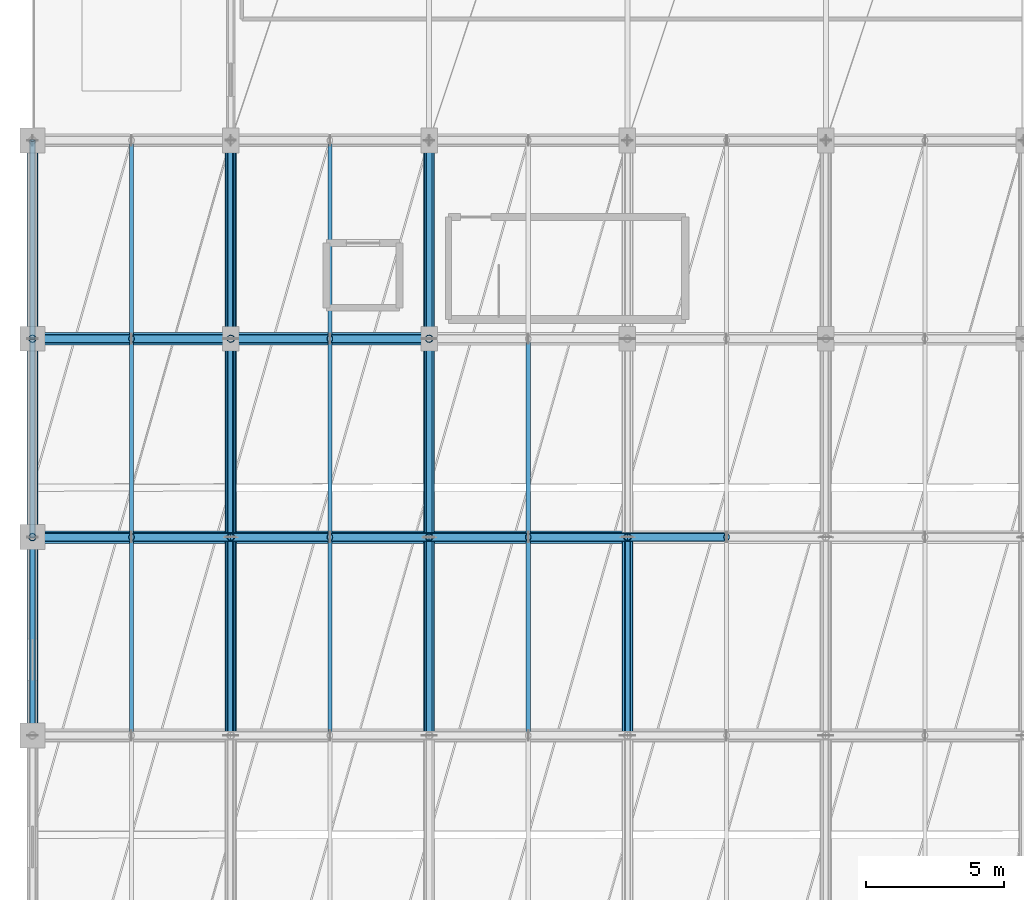
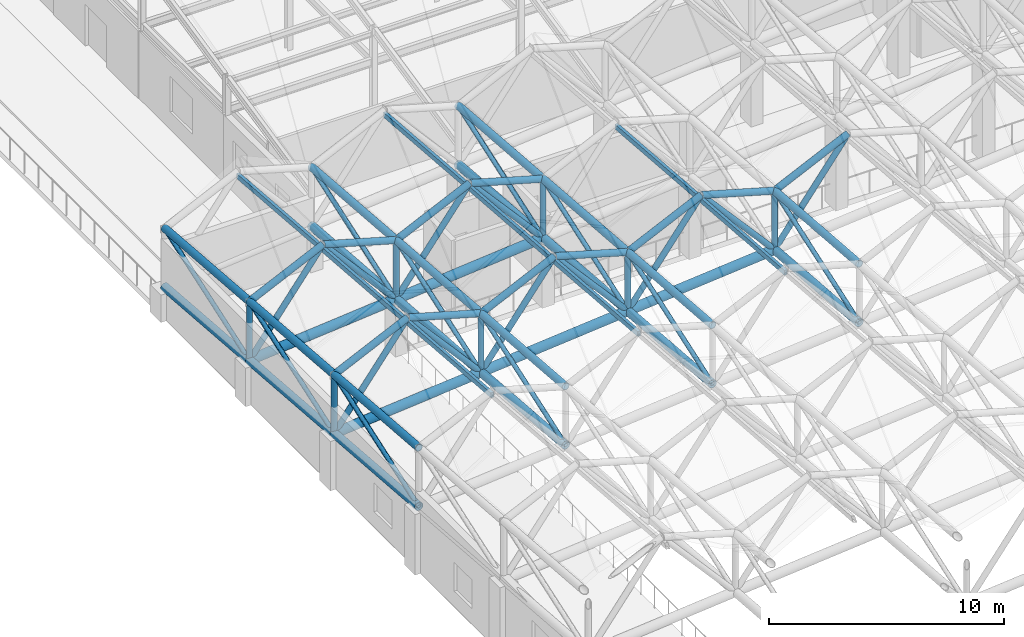
# One storey, part 23 of 113: 72 members.
"""IFC4 building model written with IfcOpenShell, lengths in metres."""

from ifc_helpers import new_model, si_unit, direction, frame, origin, origin_2d, place, context, subcontext, project, spatial, hollow_rectangle, hollow_circle, extrude, material, material_profile, profile_set, type_object, element, save


model = new_model("IFC4")

# Units and contexts
model_context = context("Model", 3, precision=1e-05, world=origin(), true_north=direction((0.0, 1.0)))
body_context = subcontext(model_context, "Body", "Model", "MODEL_VIEW")
ifc_project = project(units=[si_unit("LENGTHUNIT", "METRE"), si_unit("AREAUNIT", "SQUARE_METRE"), si_unit("VOLUMEUNIT", "CUBIC_METRE"), si_unit("PLANEANGLEUNIT", "RADIAN"), si_unit("MASSUNIT", "GRAM", prefix="KILO")], contexts=[model_context])

# Site, building, storey
site_placement = place(None, origin())
site = spatial("IfcSite", under=ifc_project, at=site_placement, CompositionType="ELEMENT")
building_placement = place(site_placement, origin())
building = spatial("IfcBuilding", under=site, at=building_placement, Name="Carrowvane Square Congress Hotel", CompositionType="ELEMENT")
storey_placement = place(building_placement, frame((0.0, 0.0, 15.0)))
storey = spatial("IfcBuildingStorey", under=building, at=storey_placement, Name="L03", CompositionType="ELEMENT", Elevation=15.0)

# Members
ifc_material_1 = material(Name="Steel S355", Category="steel")
ifc_material_profile_1 = material_profile(ifc_material_1, hollow_rectangle(XDim=0.14990234375, YDim=0.25, WallThickness=0.012451171875, at=origin_2d()), Name="RHS 250x150x12.5")
ifc_profile_set_1 = profile_set([ifc_material_profile_1], Name="Steel S355")
member_type_1 = type_object("IfcMemberType", Name="MEM-PR-RHS250", PredefinedType="PURLIN", material=ifc_profile_set_1)
member_1_placement = place(storey_placement, frame((15.199951171875, 34.199951171875, 7.65283203125), z_axis=(0.0, 0.996866873479, -0.079097639413), x_axis=(-1.0, 0.0, 0.0)))
element("IfcMember", 1, at=member_1_placement, inside=storey, type_object=member_type_1, Name="Space-frame ridge purlin 453", PredefinedType="PURLIN", context=body_context, shape_type="SweptSolid", body=[
    extrude(hollow_rectangle(XDim=0.14990234375, YDim=0.25, WallThickness=0.012451171875, at=origin_2d()), origin(), (0.0, 0.0, 1.0), 7.22265625),
])
member_2_placement = place(storey_placement, frame((15.199951171875, 41.39990234375, 7.08154296875), z_axis=(0.0, 0.996864419257, -0.079128563864), x_axis=(-1.0, 0.0, 0.0)))
element("IfcMember", 2, at=member_2_placement, inside=storey, type_object=member_type_1, Name="Space-frame ridge purlin 454", PredefinedType="PURLIN", context=body_context, shape_type="SweptSolid", body=[
    extrude(hollow_rectangle(XDim=0.14990234375, YDim=0.25, WallThickness=0.012451171875, at=origin_2d()), origin(), (0.0, 0.0, 1.0), 7.222900390625),
])
for number, where, z_axis, x_axis, name in (
    (3, (15.199951171875, 48.60009765625, 6.510009765625), (0.0, 0.996864207606, -0.079131230206), (-1.0, 0.0, 0.0), "Space-frame ridge purlin 455"),
    (4, (22.39990234375, 34.199951171875, 8.31005859375), (0.0, 0.996864207606, -0.079131230206), (-1.0, 0.0, 0.0), "Space-frame ridge purlin 460"),
):
    element("IfcMember", number, at=place(storey_placement, frame(where, z_axis=z_axis, x_axis=x_axis)), inside=storey, type_object=member_type_1, Name=name, PredefinedType="PURLIN", context=body_context, shape_type="SweptSolid", body=[
        extrude(hollow_rectangle(XDim=0.14990234375, YDim=0.25, WallThickness=0.012451171875, at=origin_2d()), origin(), (0.0, 0.0, 1.0), 7.22265625),
    ])
member_3_placement = place(storey_placement, frame((22.39990234375, 41.39990234375, 7.738525390625), z_axis=(0.0, 0.996867084951, -0.079094974189), x_axis=(-1.0, 0.0, 0.0)))
element("IfcMember", 5, at=member_3_placement, inside=storey, type_object=member_type_1, Name="Space-frame ridge purlin 461", PredefinedType="PURLIN", context=body_context, shape_type="SweptSolid", body=[
    extrude(hollow_rectangle(XDim=0.14990234375, YDim=0.25, WallThickness=0.012451171875, at=origin_2d()), origin(), (0.0, 0.0, 1.0), 7.222900390625),
])
for number, where, z_axis, x_axis, name in (
    (6, (22.39990234375, 48.60009765625, 7.167236328125), (0.0, 0.996864207606, -0.079131230206), (-1.0, 0.0, 0.0), "Space-frame ridge purlin 462"),
    (7, (29.60009765625, 34.199951171875, 8.967041015625), (0.0, 0.996866873479, -0.079097639413), (-1.0, 0.0, 0.0), "Space-frame ridge purlin 467"),
):
    element("IfcMember", number, at=place(storey_placement, frame(where, z_axis=z_axis, x_axis=x_axis)), inside=storey, type_object=member_type_1, Name=name, PredefinedType="PURLIN", context=body_context, shape_type="SweptSolid", body=[
        extrude(hollow_rectangle(XDim=0.14990234375, YDim=0.25, WallThickness=0.012451171875, at=origin_2d()), origin(), (0.0, 0.0, 1.0), 7.22265625),
    ])
member_4_placement = place(storey_placement, frame((29.60009765625, 41.39990234375, 8.395751953125), z_axis=(0.0, 0.996864419257, -0.079128563864), x_axis=(-1.0, 0.0, 0.0)))
element("IfcMember", 8, at=member_4_placement, inside=storey, type_object=member_type_1, Name="Space-frame ridge purlin 468", PredefinedType="PURLIN", context=body_context, shape_type="SweptSolid", body=[
    extrude(hollow_rectangle(XDim=0.14990234375, YDim=0.25, WallThickness=0.012451171875, at=origin_2d()), origin(), (0.0, 0.0, 1.0), 7.222900390625),
])
ifc_material_2 = material(Name="Steel S355", Category="steel")
ifc_material_profile_2 = material_profile(ifc_material_2, hollow_circle(Radius=0.136474609375, WallThickness=0.01611328125, at=origin_2d()), Name="CHS 273.0x16")
ifc_profile_set_2 = profile_set([ifc_material_profile_2], Name="Steel S355")
member_type_2 = type_object("IfcMemberType", Name="MEM-ST-CHS273", PredefinedType="STRUT", material=ifc_profile_set_2)
for number, where, z_axis, x_axis, name in (
    (9, (11.60009765625, 41.39990234375, 2.562744140625), (0.0, 0.0, 1.0), (1.0, 0.0, 0.0), "Space-frame vertical post 503"),
    (10, (11.60009765625, 48.60009765625, 1.991455078125), (0.0, 0.0, 1.0), (1.0, 0.0, 0.0), "Space-frame vertical post 504"),
    (11, (18.800048828125, 41.39990234375, 3.219970703125), (0.0, 0.0, 1.0), (1.0, 0.0, 0.0), "Space-frame vertical post 511"),
):
    element("IfcMember", number, at=place(storey_placement, frame(where, z_axis=z_axis, x_axis=x_axis)), inside=storey, type_object=member_type_2, Name=name, PredefinedType="STRUT", context=body_context, shape_type="SweptSolid", body=[
        extrude(hollow_circle(Radius=0.136474609375, WallThickness=0.01611328125, at=origin_2d()), origin(), (0.0, 0.0, 1.0), 3.050048828125),
    ])
member_5_placement = place(storey_placement, frame((18.800048828125, 48.60009765625, 2.648681640625), z_axis=(0.0, 0.0, 1.0), x_axis=(1.0, 0.0, 0.0)))
element("IfcMember", 12, at=member_5_placement, inside=storey, type_object=member_type_2, Name="Space-frame vertical post 512", PredefinedType="STRUT", context=body_context, shape_type="SweptSolid", body=[
    extrude(hollow_circle(Radius=0.136474609375, WallThickness=0.01611328125, at=origin_2d()), origin(), (0.0, 0.0, 1.0), 3.0498046875),
])
for number, where, z_axis, x_axis, name in (
    (13, (26.0, 41.39990234375, 3.877197265625), (0.0, 0.0, 1.0), (1.0, 0.0, 0.0), "Space-frame vertical post 519"),
    (14, (26.0, 48.60009765625, 3.3056640625), (0.0, 0.0, 1.0), (1.0, 0.0, 0.0), "Space-frame vertical post 520"),
    (15, (33.199951171875, 41.39990234375, 4.5341796875), (0.0, 0.0, 1.0), (1.0, 0.0, 0.0), "Space-frame vertical post 527"),
):
    element("IfcMember", number, at=place(storey_placement, frame(where, z_axis=z_axis, x_axis=x_axis)), inside=storey, type_object=member_type_2, Name=name, PredefinedType="STRUT", context=body_context, shape_type="SweptSolid", body=[
        extrude(hollow_circle(Radius=0.136474609375, WallThickness=0.01611328125, at=origin_2d()), origin(), (0.0, 0.0, 1.0), 3.050048828125),
    ])
ifc_material_3 = material(Name="Steel S355", Category="steel")
ifc_material_profile_3 = material_profile(ifc_material_3, hollow_circle(Radius=0.161865234375, WallThickness=0.01611328125, at=origin_2d()), Name="CHS 323.9x16")
ifc_profile_set_3 = profile_set([ifc_material_profile_3], Name="Steel S355")
member_type_3 = type_object("IfcMemberType", Name="MEM-TC-CHS324", PredefinedType="CHORD", material=ifc_profile_set_3)
member_6_placement = place(storey_placement, frame((11.60009765625, 41.39990234375, 5.61279296875), z_axis=(0.905334279236, 0.0, 0.424699709018), x_axis=(0.0, 1.0, 0.0)))
element("IfcMember", 16, at=member_6_placement, inside=storey, type_object=member_type_3, Name="Space-frame folded top chord 345", PredefinedType="CHORD", context=body_context, shape_type="SweptSolid", body=[
    extrude(hollow_circle(Radius=0.161865234375, WallThickness=0.01611328125, at=origin_2d()), origin(), (0.0, 0.0, 1.0), 3.976318359375),
])
member_7_placement = place(storey_placement, frame((15.199951171875, 41.39990234375, 7.301513671875), z_axis=(0.961319496164, 0.0, -0.275435702651), x_axis=(0.0, 1.0, 0.0)))
element("IfcMember", 17, at=member_7_placement, inside=storey, type_object=member_type_3, Name="Space-frame folded top chord 346", PredefinedType="CHORD", context=body_context, shape_type="SweptSolid", body=[
    extrude(hollow_circle(Radius=0.161865234375, WallThickness=0.01611328125, at=origin_2d()), origin(), (0.0, 0.0, 1.0), 3.744873046875),
])
member_8_placement = place(storey_placement, frame((18.800048828125, 41.39990234375, 6.27001953125), z_axis=(0.905357886231, 0.0, 0.424649382243), x_axis=(0.0, 1.0, 0.0)))
element("IfcMember", 18, at=member_8_placement, inside=storey, type_object=member_type_3, Name="Space-frame folded top chord 350", PredefinedType="CHORD", context=body_context, shape_type="SweptSolid", body=[
    extrude(hollow_circle(Radius=0.161865234375, WallThickness=0.01611328125, at=origin_2d()), origin(), (0.0, 0.0, 1.0), 3.97607421875),
])
member_9_placement = place(storey_placement, frame((22.39990234375, 41.39990234375, 7.95849609375), z_axis=(0.961336756204, 0.0, -0.275375454917), x_axis=(0.0, 1.0, 0.0)))
element("IfcMember", 19, at=member_9_placement, inside=storey, type_object=member_type_3, Name="Space-frame folded top chord 351", PredefinedType="CHORD", context=body_context, shape_type="SweptSolid", body=[
    extrude(hollow_circle(Radius=0.161865234375, WallThickness=0.01611328125, at=origin_2d()), origin(), (0.0, 0.0, 1.0), 3.744873046875),
])
member_10_placement = place(storey_placement, frame((26.0, 41.39990234375, 6.92724609375), z_axis=(0.905368957574, 0.0, 0.424625777199), x_axis=(0.0, 1.0, 0.0)))
element("IfcMember", 20, at=member_10_placement, inside=storey, type_object=member_type_3, Name="Space-frame folded top chord 355", PredefinedType="CHORD", context=body_context, shape_type="SweptSolid", body=[
    extrude(hollow_circle(Radius=0.161865234375, WallThickness=0.01611328125, at=origin_2d()), origin(), (0.0, 0.0, 1.0), 3.976318359375),
])
member_11_placement = place(storey_placement, frame((29.60009765625, 41.39990234375, 8.61572265625), z_axis=(0.961314549928, 0.0, -0.275452965307), x_axis=(0.0, 1.0, 0.0)))
element("IfcMember", 21, at=member_11_placement, inside=storey, type_object=member_type_3, Name="Space-frame folded top chord 356", PredefinedType="CHORD", context=body_context, shape_type="SweptSolid", body=[
    extrude(hollow_circle(Radius=0.161865234375, WallThickness=0.01611328125, at=origin_2d()), origin(), (0.0, 0.0, 1.0), 3.74462890625),
])
member_12_placement = place(storey_placement, frame((33.199951171875, 41.39990234375, 7.584228515625), z_axis=(0.905345352914, 0.0, 0.424676102408), x_axis=(0.0, 1.0, 0.0)))
element("IfcMember", 22, at=member_12_placement, inside=storey, type_object=member_type_3, Name="Space-frame folded top chord 360", PredefinedType="CHORD", context=body_context, shape_type="SweptSolid", body=[
    extrude(hollow_circle(Radius=0.161865234375, WallThickness=0.01611328125, at=origin_2d()), origin(), (0.0, 0.0, 1.0), 3.9765625),
])
member_13_placement = place(storey_placement, frame((11.60009765625, 48.60009765625, 5.04150390625), z_axis=(0.905357886231, 0.0, 0.424649382243), x_axis=(0.0, 1.0, 0.0)))
element("IfcMember", 23, at=member_13_placement, inside=storey, type_object=member_type_3, Name="Space-frame folded top chord 380", PredefinedType="CHORD", context=body_context, shape_type="SweptSolid", body=[
    extrude(hollow_circle(Radius=0.161865234375, WallThickness=0.01611328125, at=origin_2d()), origin(), (0.0, 0.0, 1.0), 3.97607421875),
])
member_14_placement = place(storey_placement, frame((15.199951171875, 48.60009765625, 6.72998046875), z_axis=(0.961319496164, 0.0, -0.275435702651), x_axis=(0.0, 1.0, 0.0)))
element("IfcMember", 24, at=member_14_placement, inside=storey, type_object=member_type_3, Name="Space-frame folded top chord 381", PredefinedType="CHORD", context=body_context, shape_type="SweptSolid", body=[
    extrude(hollow_circle(Radius=0.161865234375, WallThickness=0.01611328125, at=origin_2d()), origin(), (0.0, 0.0, 1.0), 3.744873046875),
])
member_15_placement = place(storey_placement, frame((18.800048828125, 48.60009765625, 5.698486328125), z_axis=(0.905334279236, 0.0, 0.424699709018), x_axis=(0.0, 1.0, 0.0)))
element("IfcMember", 25, at=member_15_placement, inside=storey, type_object=member_type_3, Name="Space-frame folded top chord 385", PredefinedType="CHORD", context=body_context, shape_type="SweptSolid", body=[
    extrude(hollow_circle(Radius=0.161865234375, WallThickness=0.01611328125, at=origin_2d()), origin(), (0.0, 0.0, 1.0), 3.976318359375),
])
member_16_placement = place(storey_placement, frame((22.39990234375, 48.60009765625, 7.38720703125), z_axis=(0.961319496164, 0.0, -0.275435702651), x_axis=(0.0, 1.0, 0.0)))
element("IfcMember", 26, at=member_16_placement, inside=storey, type_object=member_type_3, Name="Space-frame folded top chord 386", PredefinedType="CHORD", context=body_context, shape_type="SweptSolid", body=[
    extrude(hollow_circle(Radius=0.161865234375, WallThickness=0.01611328125, at=origin_2d()), origin(), (0.0, 0.0, 1.0), 3.744873046875),
])
ifc_material_4 = material(Name="Steel S355", Category="steel")
ifc_material_profile_4 = material_profile(ifc_material_4, hollow_circle(Radius=0.177734375, WallThickness=0.02001953125, at=origin_2d()), Name="CHS 355.6x20")
ifc_profile_set_4 = profile_set([ifc_material_profile_4], Name="Steel S355")
member_type_4 = type_object("IfcMemberType", Name="MEM-TC-CHS356", PredefinedType="CHORD", material=ifc_profile_set_4)
member_17_placement = place(storey_placement, frame((11.60009765625, 34.199951171875, 6.184326171875), z_axis=(0.0, 0.996864207606, -0.079131230206), x_axis=(-1.0, 0.0, 0.0)))
element("IfcMember", 27, at=member_17_placement, inside=storey, type_object=member_type_4, Name="Space-frame valley top chord 13", PredefinedType="CHORD", context=body_context, shape_type="SweptSolid", body=[
    extrude(hollow_circle(Radius=0.177734375, WallThickness=0.02001953125, at=origin_2d()), origin(), (0.0, 0.0, 1.0), 7.22265625),
])
member_18_placement = place(storey_placement, frame((11.60009765625, 41.39990234375, 5.61279296875), z_axis=(0.0, 0.996867084951, -0.079094974189), x_axis=(-1.0, 0.0, 0.0)))
element("IfcMember", 28, at=member_18_placement, inside=storey, type_object=member_type_4, Name="Space-frame valley top chord 16", PredefinedType="CHORD", context=body_context, shape_type="SweptSolid", body=[
    extrude(hollow_circle(Radius=0.177734375, WallThickness=0.02001953125, at=origin_2d()), origin(), (0.0, 0.0, 1.0), 7.222900390625),
])
for number, where, z_axis, x_axis, name in (
    (29, (11.60009765625, 48.60009765625, 5.04150390625), (0.0, 0.996864207606, -0.079131230206), (-1.0, 0.0, 0.0), "Space-frame valley top chord 19"),
    (30, (18.800048828125, 34.199951171875, 6.84130859375), (0.0, 0.996866873479, -0.079097639413), (-1.0, 0.0, 0.0), "Space-frame valley top chord 34"),
):
    element("IfcMember", number, at=place(storey_placement, frame(where, z_axis=z_axis, x_axis=x_axis)), inside=storey, type_object=member_type_4, Name=name, PredefinedType="CHORD", context=body_context, shape_type="SweptSolid", body=[
        extrude(hollow_circle(Radius=0.177734375, WallThickness=0.02001953125, at=origin_2d()), origin(), (0.0, 0.0, 1.0), 7.22265625),
    ])
member_19_placement = place(storey_placement, frame((18.800048828125, 41.39990234375, 6.27001953125), z_axis=(0.0, 0.996864419257, -0.079128563864), x_axis=(-1.0, 0.0, 0.0)))
element("IfcMember", 31, at=member_19_placement, inside=storey, type_object=member_type_4, Name="Space-frame valley top chord 37", PredefinedType="CHORD", context=body_context, shape_type="SweptSolid", body=[
    extrude(hollow_circle(Radius=0.177734375, WallThickness=0.02001953125, at=origin_2d()), origin(), (0.0, 0.0, 1.0), 7.222900390625),
])
for number, where, z_axis, x_axis, name in (
    (32, (18.800048828125, 48.60009765625, 5.698486328125), (0.0, 0.996866873479, -0.079097639413), (-1.0, 0.0, 0.0), "Space-frame valley top chord 40"),
    (33, (26.0, 34.199951171875, 7.49853515625), (0.0, 0.996866873479, -0.079097639413), (-1.0, 0.0, 0.0), "Space-frame valley top chord 55"),
):
    element("IfcMember", number, at=place(storey_placement, frame(where, z_axis=z_axis, x_axis=x_axis)), inside=storey, type_object=member_type_4, Name=name, PredefinedType="CHORD", context=body_context, shape_type="SweptSolid", body=[
        extrude(hollow_circle(Radius=0.177734375, WallThickness=0.02001953125, at=origin_2d()), origin(), (0.0, 0.0, 1.0), 7.22265625),
    ])
member_20_placement = place(storey_placement, frame((26.0, 41.39990234375, 6.92724609375), z_axis=(0.0, 0.996864419257, -0.079128563864), x_axis=(-1.0, 0.0, 0.0)))
element("IfcMember", 34, at=member_20_placement, inside=storey, type_object=member_type_4, Name="Space-frame valley top chord 58", PredefinedType="CHORD", context=body_context, shape_type="SweptSolid", body=[
    extrude(hollow_circle(Radius=0.177734375, WallThickness=0.02001953125, at=origin_2d()), origin(), (0.0, 0.0, 1.0), 7.222900390625),
])
for number, where, z_axis, x_axis, name in (
    (35, (26.0, 48.60009765625, 6.355712890625), (0.0, 0.996864207606, -0.079131230206), (-1.0, 0.0, 0.0), "Space-frame valley top chord 61"),
    (36, (33.199951171875, 34.199951171875, 8.15576171875), (0.0, 0.996864207606, -0.079131230206), (-1.0, 0.0, 0.0), "Space-frame valley top chord 76"),
):
    element("IfcMember", number, at=place(storey_placement, frame(where, z_axis=z_axis, x_axis=x_axis)), inside=storey, type_object=member_type_4, Name=name, PredefinedType="CHORD", context=body_context, shape_type="SweptSolid", body=[
        extrude(hollow_circle(Radius=0.177734375, WallThickness=0.02001953125, at=origin_2d()), origin(), (0.0, 0.0, 1.0), 7.22265625),
    ])
ifc_material_5 = material(Name="Steel S355", Category="steel")
ifc_material_profile_5 = material_profile(ifc_material_5, hollow_circle(Radius=0.203125, WallThickness=0.02001953125, at=origin_2d()), Name="CHS 406.4x20")
ifc_profile_set_5 = profile_set([ifc_material_profile_5], Name="Steel S355")
member_type_5 = type_object("IfcMemberType", Name="MEM-TC-CHS406", PredefinedType="CHORD", material=ifc_profile_set_5)
member_21_placement = place(storey_placement, frame((11.60009765625, 34.199951171875, 3.13427734375), z_axis=(0.0, 0.996864207606, -0.079131230206), x_axis=(-1.0, 0.0, 0.0)))
element("IfcMember", 37, at=member_21_placement, inside=storey, type_object=member_type_5, Name="Space-frame bottom chord 14", PredefinedType="CHORD", context=body_context, shape_type="SweptSolid", body=[
    extrude(hollow_circle(Radius=0.203125, WallThickness=0.02001953125, at=origin_2d()), origin(), (0.0, 0.0, 1.0), 7.22265625),
])
member_22_placement = place(storey_placement, frame((11.60009765625, 41.39990234375, 2.562744140625), z_axis=(0.0, 0.996867084951, -0.079094974189), x_axis=(-1.0, 0.0, 0.0)))
element("IfcMember", 38, at=member_22_placement, inside=storey, type_object=member_type_5, Name="Space-frame bottom chord 17", PredefinedType="CHORD", context=body_context, shape_type="SweptSolid", body=[
    extrude(hollow_circle(Radius=0.203125, WallThickness=0.02001953125, at=origin_2d()), origin(), (0.0, 0.0, 1.0), 7.222900390625),
])
for number, where, z_axis, x_axis, name in (
    (39, (11.60009765625, 48.60009765625, 1.991455078125), (0.0, 0.996864207606, -0.079131230206), (-1.0, 0.0, 0.0), "Space-frame bottom chord 20"),
    (40, (18.800048828125, 34.199951171875, 3.79150390625), (0.0, 0.996864207606, -0.079131230206), (-1.0, 0.0, 0.0), "Space-frame bottom chord 35"),
):
    element("IfcMember", number, at=place(storey_placement, frame(where, z_axis=z_axis, x_axis=x_axis)), inside=storey, type_object=member_type_5, Name=name, PredefinedType="CHORD", context=body_context, shape_type="SweptSolid", body=[
        extrude(hollow_circle(Radius=0.203125, WallThickness=0.02001953125, at=origin_2d()), origin(), (0.0, 0.0, 1.0), 7.22265625),
    ])
member_23_placement = place(storey_placement, frame((18.800048828125, 41.39990234375, 3.219970703125), z_axis=(0.0, 0.996867084951, -0.079094974189), x_axis=(-1.0, 0.0, 0.0)))
element("IfcMember", 41, at=member_23_placement, inside=storey, type_object=member_type_5, Name="Space-frame bottom chord 38", PredefinedType="CHORD", context=body_context, shape_type="SweptSolid", body=[
    extrude(hollow_circle(Radius=0.203125, WallThickness=0.02001953125, at=origin_2d()), origin(), (0.0, 0.0, 1.0), 7.222900390625),
])
for number, where, z_axis, x_axis, name in (
    (42, (18.800048828125, 48.60009765625, 2.648681640625), (0.0, 0.996864207606, -0.079131230206), (-1.0, 0.0, 0.0), "Space-frame bottom chord 41"),
    (43, (26.0, 34.199951171875, 4.448486328125), (0.0, 0.996866873479, -0.079097639413), (-1.0, 0.0, 0.0), "Space-frame bottom chord 56"),
):
    element("IfcMember", number, at=place(storey_placement, frame(where, z_axis=z_axis, x_axis=x_axis)), inside=storey, type_object=member_type_5, Name=name, PredefinedType="CHORD", context=body_context, shape_type="SweptSolid", body=[
        extrude(hollow_circle(Radius=0.203125, WallThickness=0.02001953125, at=origin_2d()), origin(), (0.0, 0.0, 1.0), 7.22265625),
    ])
member_24_placement = place(storey_placement, frame((26.0, 41.39990234375, 3.877197265625), z_axis=(0.0, 0.996864419257, -0.079128563864), x_axis=(-1.0, 0.0, 0.0)))
element("IfcMember", 44, at=member_24_placement, inside=storey, type_object=member_type_5, Name="Space-frame bottom chord 59", PredefinedType="CHORD", context=body_context, shape_type="SweptSolid", body=[
    extrude(hollow_circle(Radius=0.203125, WallThickness=0.02001953125, at=origin_2d()), origin(), (0.0, 0.0, 1.0), 7.222900390625),
])
for number, where, z_axis, x_axis, name in (
    (45, (26.0, 48.60009765625, 3.3056640625), (0.0, 0.996866873479, -0.079097639413), (-1.0, 0.0, 0.0), "Space-frame bottom chord 62"),
    (46, (33.199951171875, 34.199951171875, 5.105712890625), (0.0, 0.996864207606, -0.079131230206), (-1.0, 0.0, 0.0), "Space-frame bottom chord 77"),
):
    element("IfcMember", number, at=place(storey_placement, frame(where, z_axis=z_axis, x_axis=x_axis)), inside=storey, type_object=member_type_5, Name=name, PredefinedType="CHORD", context=body_context, shape_type="SweptSolid", body=[
        extrude(hollow_circle(Radius=0.203125, WallThickness=0.02001953125, at=origin_2d()), origin(), (0.0, 0.0, 1.0), 7.22265625),
    ])
ifc_material_6 = material(Name="Steel S355", Category="steel")
ifc_material_profile_6 = material_profile(ifc_material_6, hollow_circle(Radius=0.228515625, WallThickness=0.02490234375, at=origin_2d()), Name="CHS 457.0x25")
ifc_profile_set_6 = profile_set([ifc_material_profile_6], Name="Steel S355")
member_type_6 = type_object("IfcMemberType", Name="MEM-TC-CHS457", PredefinedType="CHORD", material=ifc_profile_set_6)
for number, where, z_axis, x_axis, name in (
    (47, (11.60009765625, 41.39990234375, 2.562744140625), (0.995859646859, 0.0, 0.090904145988), (0.0, 1.0, 0.0), "Space-frame cross bottom chord 344"),
    (48, (18.800048828125, 41.39990234375, 3.219970703125), (0.995859646859, 0.0, 0.090904145988), (0.0, 1.0, 0.0), "Space-frame cross bottom chord 349"),
    (49, (26.0, 41.39990234375, 3.877197265625), (0.99586270327, 0.0, 0.090870656624), (0.0, 1.0, 0.0), "Space-frame cross bottom chord 354"),
    (50, (11.60009765625, 48.60009765625, 1.991455078125), (0.995859646859, 0.0, 0.090904145988), (0.0, 1.0, 0.0), "Space-frame cross bottom chord 379"),
    (51, (18.800048828125, 48.60009765625, 2.648681640625), (0.99586270327, 0.0, 0.090870656624), (0.0, 1.0, 0.0), "Space-frame cross bottom chord 384"),
):
    element("IfcMember", number, at=place(storey_placement, frame(where, z_axis=z_axis, x_axis=x_axis)), inside=storey, type_object=member_type_6, Name=name, PredefinedType="CHORD", context=body_context, shape_type="SweptSolid", body=[
        extrude(hollow_circle(Radius=0.228515625, WallThickness=0.02490234375, at=origin_2d()), origin(), (0.0, 0.0, 1.0), 7.22998046875),
    ])
ifc_material_7 = material(Name="Steel S355", Category="steel")
ifc_material_profile_7 = material_profile(ifc_material_7, hollow_circle(Radius=0.109619140625, WallThickness=0.012451171875, at=origin_2d()), Name="CHS 219.1x12.5")
ifc_profile_set_7 = profile_set([ifc_material_profile_7], Name="Steel S355")
member_type_7 = type_object("IfcMemberType", Name="MEM-TD-CHS219", PredefinedType="BRACE", material=ifc_profile_set_7)
member_25_placement = place(storey_placement, frame((11.60009765625, 34.199951171875, 3.13427734375), z_axis=(0.0, 0.945543894884, 0.325494612623), x_axis=(-1.0, 0.0, 0.0)))
element("IfcMember", 52, at=member_25_placement, inside=storey, type_object=member_type_7, Name="Space-frame web diagonal 15", PredefinedType="BRACE", context=body_context, shape_type="SweptSolid", body=[
    extrude(hollow_circle(Radius=0.109619140625, WallThickness=0.012451171875, at=origin_2d()), origin(), (0.0, 0.0, 1.0), 7.614501953125),
])
member_26_placement = place(storey_placement, frame((11.60009765625, 41.39990234375, 2.562744140625), z_axis=(0.0, 0.945537424098, 0.325513409293), x_axis=(-1.0, 0.0, 0.0)))
element("IfcMember", 53, at=member_26_placement, inside=storey, type_object=member_type_7, Name="Space-frame web diagonal 18", PredefinedType="BRACE", context=body_context, shape_type="SweptSolid", body=[
    extrude(hollow_circle(Radius=0.109619140625, WallThickness=0.012451171875, at=origin_2d()), origin(), (0.0, 0.0, 1.0), 7.614990234375),
])
for number, where, z_axis, x_axis, name in (
    (54, (11.60009765625, 48.60009765625, 1.991455078125), (0.0, 0.945543894884, 0.325494612623), (-1.0, 0.0, 0.0), "Space-frame web diagonal 21"),
    (55, (18.800048828125, 34.199951171875, 3.79150390625), (0.0, 0.945543894884, 0.325494612623), (-1.0, 0.0, 0.0), "Space-frame web diagonal 36"),
):
    element("IfcMember", number, at=place(storey_placement, frame(where, z_axis=z_axis, x_axis=x_axis)), inside=storey, type_object=member_type_7, Name=name, PredefinedType="BRACE", context=body_context, shape_type="SweptSolid", body=[
        extrude(hollow_circle(Radius=0.109619140625, WallThickness=0.012451171875, at=origin_2d()), origin(), (0.0, 0.0, 1.0), 7.614501953125),
    ])
member_27_placement = place(storey_placement, frame((18.800048828125, 41.39990234375, 3.219970703125), z_axis=(0.0, 0.945547291607, 0.325484745165), x_axis=(-1.0, 0.0, 0.0)))
element("IfcMember", 56, at=member_27_placement, inside=storey, type_object=member_type_7, Name="Space-frame web diagonal 39", PredefinedType="BRACE", context=body_context, shape_type="SweptSolid", body=[
    extrude(hollow_circle(Radius=0.109619140625, WallThickness=0.012451171875, at=origin_2d()), origin(), (0.0, 0.0, 1.0), 7.61474609375),
])
member_28_placement = place(storey_placement, frame((18.800048828125, 48.60009765625, 2.648681640625), z_axis=(0.0, 0.945543894884, 0.325494612623), x_axis=(-1.0, 0.0, 0.0)))
element("IfcMember", 57, at=member_28_placement, inside=storey, type_object=member_type_7, Name="Space-frame web diagonal 42", PredefinedType="BRACE", context=body_context, shape_type="SweptSolid", body=[
    extrude(hollow_circle(Radius=0.109619140625, WallThickness=0.012451171875, at=origin_2d()), origin(), (0.0, 0.0, 1.0), 7.614501953125),
])
for number, where, z_axis, x_axis, name in (
    (58, (26.0, 34.199951171875, 4.448486328125), (0.0, 0.945534026813, 0.325523277415), (-1.0, 0.0, 0.0), "Space-frame web diagonal 57"),
    (59, (26.0, 41.39990234375, 3.877197265625), (0.0, 0.945547291607, 0.325484745165), (-1.0, 0.0, 0.0), "Space-frame web diagonal 60"),
):
    element("IfcMember", number, at=place(storey_placement, frame(where, z_axis=z_axis, x_axis=x_axis)), inside=storey, type_object=member_type_7, Name=name, PredefinedType="BRACE", context=body_context, shape_type="SweptSolid", body=[
        extrude(hollow_circle(Radius=0.109619140625, WallThickness=0.012451171875, at=origin_2d()), origin(), (0.0, 0.0, 1.0), 7.61474609375),
    ])
for number, where, z_axis, x_axis, name in (
    (60, (26.0, 48.60009765625, 3.3056640625), (0.0, 0.945543894884, 0.325494612623), (-1.0, 0.0, 0.0), "Space-frame web diagonal 63"),
    (61, (33.199951171875, 34.199951171875, 5.105712890625), (0.0, 0.945543894884, 0.325494612623), (-1.0, 0.0, 0.0), "Space-frame web diagonal 78"),
):
    element("IfcMember", number, at=place(storey_placement, frame(where, z_axis=z_axis, x_axis=x_axis)), inside=storey, type_object=member_type_7, Name=name, PredefinedType="BRACE", context=body_context, shape_type="SweptSolid", body=[
        extrude(hollow_circle(Radius=0.109619140625, WallThickness=0.012451171875, at=origin_2d()), origin(), (0.0, 0.0, 1.0), 7.614501953125),
    ])
ifc_material_8 = material(Name="Steel S355", Category="steel")
ifc_material_profile_8 = material_profile(ifc_material_8, hollow_circle(Radius=0.136474609375, WallThickness=0.01611328125, at=origin_2d()), Name="CHS 273.0x16")
ifc_profile_set_8 = profile_set([ifc_material_profile_8], Name="Steel S355")
member_type_8 = type_object("IfcMemberType", Name="MEM-TD-CHS273", PredefinedType="BRACE", material=ifc_profile_set_8)
member_29_placement = place(storey_placement, frame((11.60009765625, 41.39990234375, 2.562744140625), z_axis=(0.604911623084, 0.0, 0.79629261472), x_axis=(0.0, 1.0, 0.0)))
element("IfcMember", 62, at=member_29_placement, inside=storey, type_object=member_type_8, Name="Space-frame space diagonal 347", PredefinedType="BRACE", context=body_context, shape_type="SweptSolid", body=[
    extrude(hollow_circle(Radius=0.136474609375, WallThickness=0.01611328125, at=origin_2d()), origin(), (0.0, 0.0, 1.0), 5.950927734375),
])
member_30_placement = place(storey_placement, frame((18.800048828125, 41.39990234375, 3.219970703125), z_axis=(-0.661491064627, 0.0, 0.749953046143), x_axis=(0.0, -1.0, 0.0)))
element("IfcMember", 63, at=member_30_placement, inside=storey, type_object=member_type_8, Name="Space-frame space diagonal 348", PredefinedType="BRACE", context=body_context, shape_type="SweptSolid", body=[
    extrude(hollow_circle(Radius=0.136474609375, WallThickness=0.01611328125, at=origin_2d()), origin(), (0.0, 0.0, 1.0), 5.4423828125),
])
member_31_placement = place(storey_placement, frame((18.800048828125, 41.39990234375, 3.219970703125), z_axis=(0.604931384673, 0.0, 0.796277602246), x_axis=(0.0, 1.0, 0.0)))
element("IfcMember", 64, at=member_31_placement, inside=storey, type_object=member_type_8, Name="Space-frame space diagonal 352", PredefinedType="BRACE", context=body_context, shape_type="SweptSolid", body=[
    extrude(hollow_circle(Radius=0.136474609375, WallThickness=0.01611328125, at=origin_2d()), origin(), (0.0, 0.0, 1.0), 5.950927734375),
])
member_32_placement = place(storey_placement, frame((26.0, 41.39990234375, 3.877197265625), z_axis=(-0.66151331907, 0.0, 0.749933416173), x_axis=(0.0, -1.0, 0.0)))
element("IfcMember", 65, at=member_32_placement, inside=storey, type_object=member_type_8, Name="Space-frame space diagonal 353", PredefinedType="BRACE", context=body_context, shape_type="SweptSolid", body=[
    extrude(hollow_circle(Radius=0.136474609375, WallThickness=0.01611328125, at=origin_2d()), origin(), (0.0, 0.0, 1.0), 5.442138671875),
])
member_33_placement = place(storey_placement, frame((26.0, 41.39990234375, 3.877197265625), z_axis=(0.604957396698, 0.0, 0.796257840263), x_axis=(0.0, 1.0, 0.0)))
element("IfcMember", 66, at=member_33_placement, inside=storey, type_object=member_type_8, Name="Space-frame space diagonal 357", PredefinedType="BRACE", context=body_context, shape_type="SweptSolid", body=[
    extrude(hollow_circle(Radius=0.136474609375, WallThickness=0.01611328125, at=origin_2d()), origin(), (0.0, 0.0, 1.0), 5.950927734375),
])
member_34_placement = place(storey_placement, frame((33.199951171875, 41.39990234375, 4.5341796875), z_axis=(-0.661465833466, 0.0, 0.749975300365), x_axis=(0.0, -1.0, 0.0)))
element("IfcMember", 67, at=member_34_placement, inside=storey, type_object=member_type_8, Name="Space-frame space diagonal 358", PredefinedType="BRACE", context=body_context, shape_type="SweptSolid", body=[
    extrude(hollow_circle(Radius=0.136474609375, WallThickness=0.01611328125, at=origin_2d()), origin(), (0.0, 0.0, 1.0), 5.442138671875),
])
member_35_placement = place(storey_placement, frame((33.199951171875, 41.39990234375, 4.5341796875), z_axis=(0.60493763524, 0.0, 0.796272853656), x_axis=(0.0, 1.0, 0.0)))
element("IfcMember", 68, at=member_35_placement, inside=storey, type_object=member_type_8, Name="Space-frame space diagonal 362", PredefinedType="BRACE", context=body_context, shape_type="SweptSolid", body=[
    extrude(hollow_circle(Radius=0.136474609375, WallThickness=0.01611328125, at=origin_2d()), origin(), (0.0, 0.0, 1.0), 5.951171875),
])
member_36_placement = place(storey_placement, frame((11.60009765625, 48.60009765625, 1.991455078125), z_axis=(0.604931384673, 0.0, 0.796277602246), x_axis=(0.0, 1.0, 0.0)))
element("IfcMember", 69, at=member_36_placement, inside=storey, type_object=member_type_8, Name="Space-frame space diagonal 382", PredefinedType="BRACE", context=body_context, shape_type="SweptSolid", body=[
    extrude(hollow_circle(Radius=0.136474609375, WallThickness=0.01611328125, at=origin_2d()), origin(), (0.0, 0.0, 1.0), 5.950927734375),
])
member_37_placement = place(storey_placement, frame((18.800048828125, 48.60009765625, 2.648681640625), z_axis=(-0.66151331907, 0.0, 0.749933416173), x_axis=(0.0, -1.0, 0.0)))
element("IfcMember", 70, at=member_37_placement, inside=storey, type_object=member_type_8, Name="Space-frame space diagonal 383", PredefinedType="BRACE", context=body_context, shape_type="SweptSolid", body=[
    extrude(hollow_circle(Radius=0.136474609375, WallThickness=0.01611328125, at=origin_2d()), origin(), (0.0, 0.0, 1.0), 5.442138671875),
])
member_38_placement = place(storey_placement, frame((18.800048828125, 48.60009765625, 2.648681640625), z_axis=(0.604931384673, 0.0, 0.796277602246), x_axis=(0.0, 1.0, 0.0)))
element("IfcMember", 71, at=member_38_placement, inside=storey, type_object=member_type_8, Name="Space-frame space diagonal 387", PredefinedType="BRACE", context=body_context, shape_type="SweptSolid", body=[
    extrude(hollow_circle(Radius=0.136474609375, WallThickness=0.01611328125, at=origin_2d()), origin(), (0.0, 0.0, 1.0), 5.950927734375),
])
member_39_placement = place(storey_placement, frame((26.0, 48.60009765625, 3.3056640625), z_axis=(-0.661491064627, 0.0, 0.749953046143), x_axis=(0.0, -1.0, 0.0)))
element("IfcMember", 72, at=member_39_placement, inside=storey, type_object=member_type_8, Name="Space-frame space diagonal 388", PredefinedType="BRACE", context=body_context, shape_type="SweptSolid", body=[
    extrude(hollow_circle(Radius=0.136474609375, WallThickness=0.01611328125, at=origin_2d()), origin(), (0.0, 0.0, 1.0), 5.4423828125),
])

save(model, "model.ifc")
